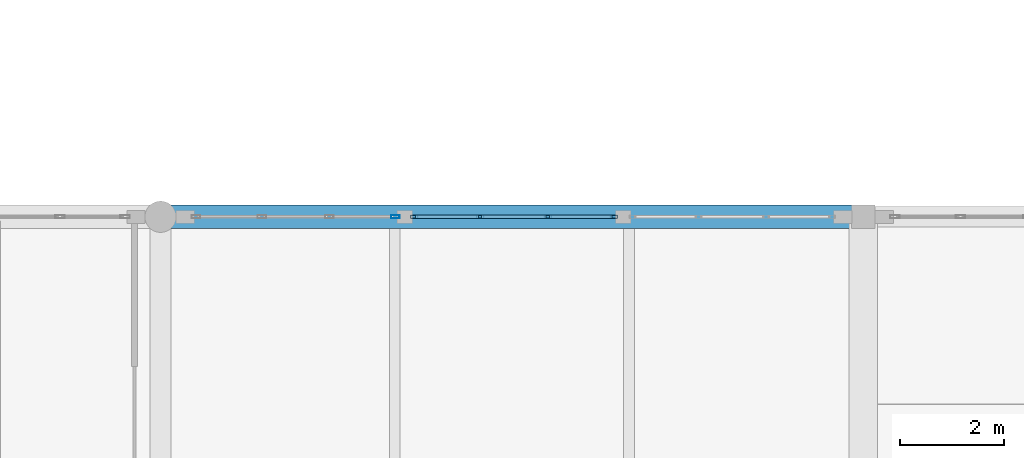
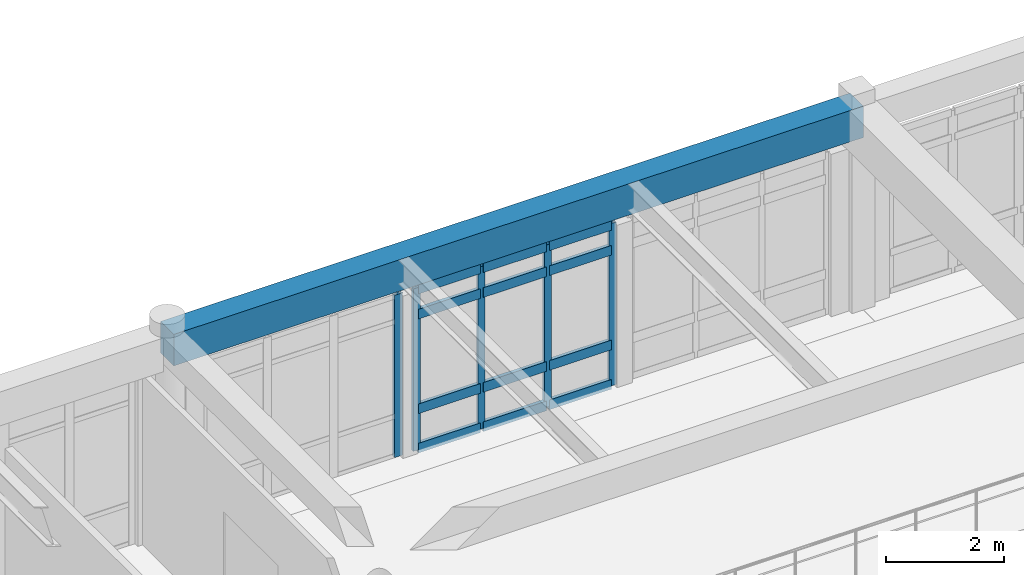
# One storey, part 29 of 109: 17 members, 1 beam, 2 elements without a shape of their own.
"""IFC4 building model written with IfcOpenShell, lengths in metres."""

from ifc_helpers import new_model, si_unit, direction, frame, origin, origin_2d, place, context, subcontext, project, spatial, rectangle, hollow_rectangle, extrude, material, layer, layer_set, material_profile, profile_set, type_object, element, aggregate, save


model = new_model("IFC4")

# Units and contexts
model_context = context("Model", 3, precision=1e-05, world=origin(), true_north=direction((0.0, 1.0)))
body_context = subcontext(model_context, "Body", "Model", "MODEL_VIEW")
ifc_project = project(units=[si_unit("LENGTHUNIT", "METRE"), si_unit("AREAUNIT", "SQUARE_METRE"), si_unit("VOLUMEUNIT", "CUBIC_METRE"), si_unit("PLANEANGLEUNIT", "RADIAN"), si_unit("MASSUNIT", "GRAM", prefix="KILO")], contexts=[model_context])

# Site, building, storey
site_placement = place(None, origin())
site = spatial("IfcSite", under=ifc_project, at=site_placement, CompositionType="ELEMENT")
building_placement = place(site_placement, origin())
building = spatial("IfcBuilding", under=site, at=building_placement, Name="Fikremerkos Civic Library", CompositionType="ELEMENT")
storey_placement = place(building_placement, frame((0.0, 0.0, 5.39990234375)))
storey = spatial("IfcBuildingStorey", under=building, at=storey_placement, Name="L01", CompositionType="ELEMENT", Elevation=5.39990234375)

# Curtain wall, member
ifc_material_1 = material(Name="Anodized aluminium Frame", Category="aluminium")
ifc_layer_1 = layer(ifc_material_1, 0.159912109375, Name="Anodized aluminium Frame")
ifc_layer_set_1 = layer_set([ifc_layer_1], Name="Anodized aluminium Frame")
curtain_wall_type_1 = type_object("IfcCurtainWallType", Name="Unitised curtain wall CW-14 4100x3200", PredefinedType="USERDEFINED", material=ifc_layer_set_1)
curtain_wall_1_placement = place(storey_placement, origin())
curtain_wall_1 = element("IfcCurtainWall", 1, at=curtain_wall_1_placement, inside=storey, type_object=curtain_wall_type_1, Name="Unitised curtain wall CW-14 L01 #86", ObjectType="UNITISED CURTAIN WALL", PredefinedType="USERDEFINED")
ifc_material_profile_1 = material_profile(ifc_material_1, hollow_rectangle(XDim=0.06005859375, YDim=0.159912109375, WallThickness=0.00390625, at=origin_2d()), Name="ALU 160x60x4")
ifc_profile_set_1 = profile_set([ifc_material_profile_1], Name="Anodized aluminium Frame")
member_type_1 = type_object("IfcMemberType", Name="Curtain mullion CWM-02 ALU 160x60x4", PredefinedType="MULLION", material=ifc_profile_set_1)
member_1_placement = place(storey_placement, frame((64.2109375, 48.0, 0.0), z_axis=(0.0, 0.0, 1.0), x_axis=(0.0, 1.0, 0.0)))
member_1 = element("IfcMember", 2, at=member_1_placement, type_object=member_type_1, Name="CW-14 mullion 4", PredefinedType="MULLION", context=body_context, shape_type="SweptSolid", body=[
    extrude(hollow_rectangle(XDim=0.06005859375, YDim=0.159912109375, WallThickness=0.00390625, at=origin_2d()), origin(), (0.0, 0.0, 1.0), 3.360107421875),
])
aggregate(curtain_wall_1, [member_1])

# Curtain wall, members
ifc_layer_2 = layer(ifc_material_1, 0.159912109375, Name="Anodized aluminium Frame")
ifc_layer_set_2 = layer_set([ifc_layer_2], Name="Anodized aluminium Frame")
curtain_wall_type_2 = type_object("IfcCurtainWallType", Name="Unitised curtain wall CW-15 2900x3600", PredefinedType="USERDEFINED", material=ifc_layer_set_2)
curtain_wall_2_placement = place(storey_placement, origin())
curtain_wall_2 = element("IfcCurtainWall", 3, at=curtain_wall_2_placement, inside=storey, type_object=curtain_wall_type_2, Name="Unitised curtain wall CW-15 L01 #87", ObjectType="UNITISED CURTAIN WALL", PredefinedType="USERDEFINED")
ifc_material_profile_2 = material_profile(ifc_material_1, hollow_rectangle(XDim=0.06005859375, YDim=0.139892578125, WallThickness=0.00390625, at=origin_2d()), Name="ALU 140x60x4")
ifc_profile_set_2 = profile_set([ifc_material_profile_2], Name="Anodized aluminium Frame")
member_type_2 = type_object("IfcMemberType", Name="Curtain mullion CWM-03 ALU 140x60x4", PredefinedType="MULLION", material=ifc_profile_set_2)
member_2_placement = place(storey_placement, frame((64.571044921875, 48.0, 0.0), z_axis=(0.0, 0.0, 1.0), x_axis=(0.0, 1.0, 0.0)))
member_2 = element("IfcMember", 4, at=member_2_placement, type_object=member_type_2, Name="CW-15 mullion 1", PredefinedType="MULLION", context=body_context, shape_type="SweptSolid", body=[
    extrude(hollow_rectangle(XDim=0.06005859375, YDim=0.139892578125, WallThickness=0.00390625, at=origin_2d()), origin(), (0.0, 0.0, 1.0), 3.360107421875),
])
member_3_placement = place(storey_placement, frame((65.838623046875, 48.0, 0.0), z_axis=(0.0, 0.0, 1.0), x_axis=(0.0, 1.0, 0.0)))
member_3 = element("IfcMember", 5, at=member_3_placement, type_object=member_type_2, Name="CW-15 mullion 2", PredefinedType="MULLION", context=body_context, shape_type="SweptSolid", body=[
    extrude(hollow_rectangle(XDim=0.06005859375, YDim=0.139892578125, WallThickness=0.00390625, at=origin_2d()), origin(), (0.0, 0.0, 1.0), 3.360107421875),
])
member_4_placement = place(storey_placement, frame((67.13623046875, 48.0, 0.0), z_axis=(0.0, 0.0, 1.0), x_axis=(0.0, 1.0, 0.0)))
member_4 = element("IfcMember", 6, at=member_4_placement, type_object=member_type_2, Name="CW-15 mullion 3", PredefinedType="MULLION", context=body_context, shape_type="SweptSolid", body=[
    extrude(hollow_rectangle(XDim=0.06005859375, YDim=0.139892578125, WallThickness=0.00390625, at=origin_2d()), origin(), (0.0, 0.0, 1.0), 3.360107421875),
])
member_5_placement = place(storey_placement, frame((68.404052734375, 48.0, 0.0), z_axis=(0.0, 0.0, 1.0), x_axis=(0.0, 1.0, 0.0)))
member_5 = element("IfcMember", 7, at=member_5_placement, type_object=member_type_2, Name="CW-15 mullion 4", PredefinedType="MULLION", context=body_context, shape_type="SweptSolid", body=[
    extrude(hollow_rectangle(XDim=0.06005859375, YDim=0.139892578125, WallThickness=0.00390625, at=origin_2d()), origin(), (0.0, 0.0, 1.0), 3.360107421875),
])
ifc_material_profile_3 = material_profile(ifc_material_1, hollow_rectangle(XDim=0.070068359375, YDim=0.199951171875, WallThickness=0.0048828125, at=origin_2d()), Name="ALU 200x70x5")
ifc_profile_set_3 = profile_set([ifc_material_profile_3], Name="Anodized aluminium Frame")
member_type_3 = type_object("IfcMemberType", Name="Curtain transom CWT-04 ALU 200x70x5", PredefinedType="USERDEFINED", material=ifc_profile_set_3)
member_6_placement = place(storey_placement, frame((64.60107421875, 48.0, 0.03515625), z_axis=(1.0, 0.0, 0.0), x_axis=(0.0, 1.0, 0.0)))
member_6 = element("IfcMember", 8, at=member_6_placement, type_object=member_type_3, Name="CW-15 transom 1.1", ObjectType="TRANSOM", PredefinedType="USERDEFINED", context=body_context, shape_type="SweptSolid", body=[
    extrude(hollow_rectangle(XDim=0.070068359375, YDim=0.199951171875, WallThickness=0.0048828125, at=origin_2d()), origin(), (0.0, 0.0, 1.0), 1.20751953125),
])
member_7_placement = place(storey_placement, frame((64.60107421875, 48.0, 0.85009765625), z_axis=(1.0, 0.0, 0.0), x_axis=(0.0, 1.0, 0.0)))
member_7 = element("IfcMember", 9, at=member_7_placement, type_object=member_type_3, Name="CW-15 transom 1.2", ObjectType="TRANSOM", PredefinedType="USERDEFINED", context=body_context, shape_type="SweptSolid", body=[
    extrude(hollow_rectangle(XDim=0.070068359375, YDim=0.199951171875, WallThickness=0.0048828125, at=origin_2d()), origin(), (0.0, 0.0, 1.0), 1.20751953125),
])
member_8_placement = place(storey_placement, frame((64.60107421875, 48.0, 2.81005859375), z_axis=(1.0, 0.0, 0.0), x_axis=(0.0, 1.0, 0.0)))
member_8 = element("IfcMember", 10, at=member_8_placement, type_object=member_type_3, Name="CW-15 transom 1.3", ObjectType="TRANSOM", PredefinedType="USERDEFINED", context=body_context, shape_type="SweptSolid", body=[
    extrude(hollow_rectangle(XDim=0.070068359375, YDim=0.199951171875, WallThickness=0.0048828125, at=origin_2d()), origin(), (0.0, 0.0, 1.0), 1.20751953125),
])
member_9_placement = place(storey_placement, frame((64.60107421875, 48.0, 3.3251953125), z_axis=(1.0, 0.0, 0.0), x_axis=(0.0, 1.0, 0.0)))
member_9 = element("IfcMember", 11, at=member_9_placement, type_object=member_type_3, Name="CW-15 transom 1.4", ObjectType="TRANSOM", PredefinedType="USERDEFINED", context=body_context, shape_type="SweptSolid", body=[
    extrude(hollow_rectangle(XDim=0.070068359375, YDim=0.199951171875, WallThickness=0.0048828125, at=origin_2d()), origin(), (0.0, 0.0, 1.0), 1.20751953125),
])
member_10_placement = place(storey_placement, frame((65.86865234375, 48.0, 0.03515625), z_axis=(1.0, 0.0, 0.0), x_axis=(0.0, 1.0, 0.0)))
member_10 = element("IfcMember", 12, at=member_10_placement, type_object=member_type_3, Name="CW-15 transom 2.1", ObjectType="TRANSOM", PredefinedType="USERDEFINED", context=body_context, shape_type="SweptSolid", body=[
    extrude(hollow_rectangle(XDim=0.070068359375, YDim=0.199951171875, WallThickness=0.0048828125, at=origin_2d()), origin(), (0.0, 0.0, 1.0), 1.23779296875),
])
member_11_placement = place(storey_placement, frame((65.86865234375, 48.0, 0.85009765625), z_axis=(1.0, 0.0, 0.0), x_axis=(0.0, 1.0, 0.0)))
member_11 = element("IfcMember", 13, at=member_11_placement, type_object=member_type_3, Name="CW-15 transom 2.2", ObjectType="TRANSOM", PredefinedType="USERDEFINED", context=body_context, shape_type="SweptSolid", body=[
    extrude(hollow_rectangle(XDim=0.070068359375, YDim=0.199951171875, WallThickness=0.0048828125, at=origin_2d()), origin(), (0.0, 0.0, 1.0), 1.23779296875),
])
member_12_placement = place(storey_placement, frame((65.86865234375, 48.0, 2.81005859375), z_axis=(1.0, 0.0, 0.0), x_axis=(0.0, 1.0, 0.0)))
member_12 = element("IfcMember", 14, at=member_12_placement, type_object=member_type_3, Name="CW-15 transom 2.3", ObjectType="TRANSOM", PredefinedType="USERDEFINED", context=body_context, shape_type="SweptSolid", body=[
    extrude(hollow_rectangle(XDim=0.070068359375, YDim=0.199951171875, WallThickness=0.0048828125, at=origin_2d()), origin(), (0.0, 0.0, 1.0), 1.23779296875),
])
member_13_placement = place(storey_placement, frame((65.86865234375, 48.0, 3.3251953125), z_axis=(1.0, 0.0, 0.0), x_axis=(0.0, 1.0, 0.0)))
member_13 = element("IfcMember", 15, at=member_13_placement, type_object=member_type_3, Name="CW-15 transom 2.4", ObjectType="TRANSOM", PredefinedType="USERDEFINED", context=body_context, shape_type="SweptSolid", body=[
    extrude(hollow_rectangle(XDim=0.070068359375, YDim=0.199951171875, WallThickness=0.0048828125, at=origin_2d()), origin(), (0.0, 0.0, 1.0), 1.23779296875),
])
member_14_placement = place(storey_placement, frame((67.166259765625, 48.0, 0.03515625), z_axis=(1.0, 0.0, 0.0), x_axis=(0.0, 1.0, 0.0)))
member_14 = element("IfcMember", 16, at=member_14_placement, type_object=member_type_3, Name="CW-15 transom 3.1", ObjectType="TRANSOM", PredefinedType="USERDEFINED", context=body_context, shape_type="SweptSolid", body=[
    extrude(hollow_rectangle(XDim=0.070068359375, YDim=0.199951171875, WallThickness=0.0048828125, at=origin_2d()), origin(), (0.0, 0.0, 1.0), 1.207763671875),
])
member_15_placement = place(storey_placement, frame((67.166259765625, 48.0, 0.85009765625), z_axis=(1.0, 0.0, 0.0), x_axis=(0.0, 1.0, 0.0)))
member_15 = element("IfcMember", 17, at=member_15_placement, type_object=member_type_3, Name="CW-15 transom 3.2", ObjectType="TRANSOM", PredefinedType="USERDEFINED", context=body_context, shape_type="SweptSolid", body=[
    extrude(hollow_rectangle(XDim=0.070068359375, YDim=0.199951171875, WallThickness=0.0048828125, at=origin_2d()), origin(), (0.0, 0.0, 1.0), 1.207763671875),
])
member_16_placement = place(storey_placement, frame((67.166259765625, 48.0, 2.81005859375), z_axis=(1.0, 0.0, 0.0), x_axis=(0.0, 1.0, 0.0)))
member_16 = element("IfcMember", 18, at=member_16_placement, type_object=member_type_3, Name="CW-15 transom 3.3", ObjectType="TRANSOM", PredefinedType="USERDEFINED", context=body_context, shape_type="SweptSolid", body=[
    extrude(hollow_rectangle(XDim=0.070068359375, YDim=0.199951171875, WallThickness=0.0048828125, at=origin_2d()), origin(), (0.0, 0.0, 1.0), 1.207763671875),
])
member_17_placement = place(storey_placement, frame((67.166259765625, 48.0, 3.3251953125), z_axis=(1.0, 0.0, 0.0), x_axis=(0.0, 1.0, 0.0)))
member_17 = element("IfcMember", 19, at=member_17_placement, type_object=member_type_3, Name="CW-15 transom 3.4", ObjectType="TRANSOM", PredefinedType="USERDEFINED", context=body_context, shape_type="SweptSolid", body=[
    extrude(hollow_rectangle(XDim=0.070068359375, YDim=0.199951171875, WallThickness=0.0048828125, at=origin_2d()), origin(), (0.0, 0.0, 1.0), 1.207763671875),
])
aggregate(curtain_wall_2, [member_2, member_3, member_4, member_5, member_6, member_7, member_8, member_9, member_10, member_11, member_12, member_13, member_14, member_15, member_16, member_17])

# Beam
ifc_material_2 = material(Name="Concrete C40/50", Category="concrete")
ifc_material_profile_4 = material_profile(ifc_material_2, rectangle(XDim=0.449951171875, YDim=0.64990234375, at=origin_2d()), Name="RC 450x650")
ifc_profile_set_4 = profile_set([ifc_material_profile_4], Name="Concrete C40/50")
beam_type = type_object("IfcBeamType", Name="Primary girder BM-07 RC 450x650", PredefinedType="BEAM", material=ifc_profile_set_4)
beam_placement = place(storey_placement, frame((59.699951171875, 48.0, 3.89501953125), z_axis=(1.0, 0.0, 0.0), x_axis=(0.0, 1.0, 0.0)))
element("IfcBeam", 20, at=beam_placement, inside=storey, type_object=beam_type, Name="Primary girder BM-07 L01 grid J", PredefinedType="BEAM", context=body_context, shape_type="SweptSolid", body=[
    extrude(rectangle(XDim=0.449951171875, YDim=0.64990234375, at=origin_2d()), origin(), (0.0, 0.0, 1.0), 13.5),
])

save(model, "model.ifc")
